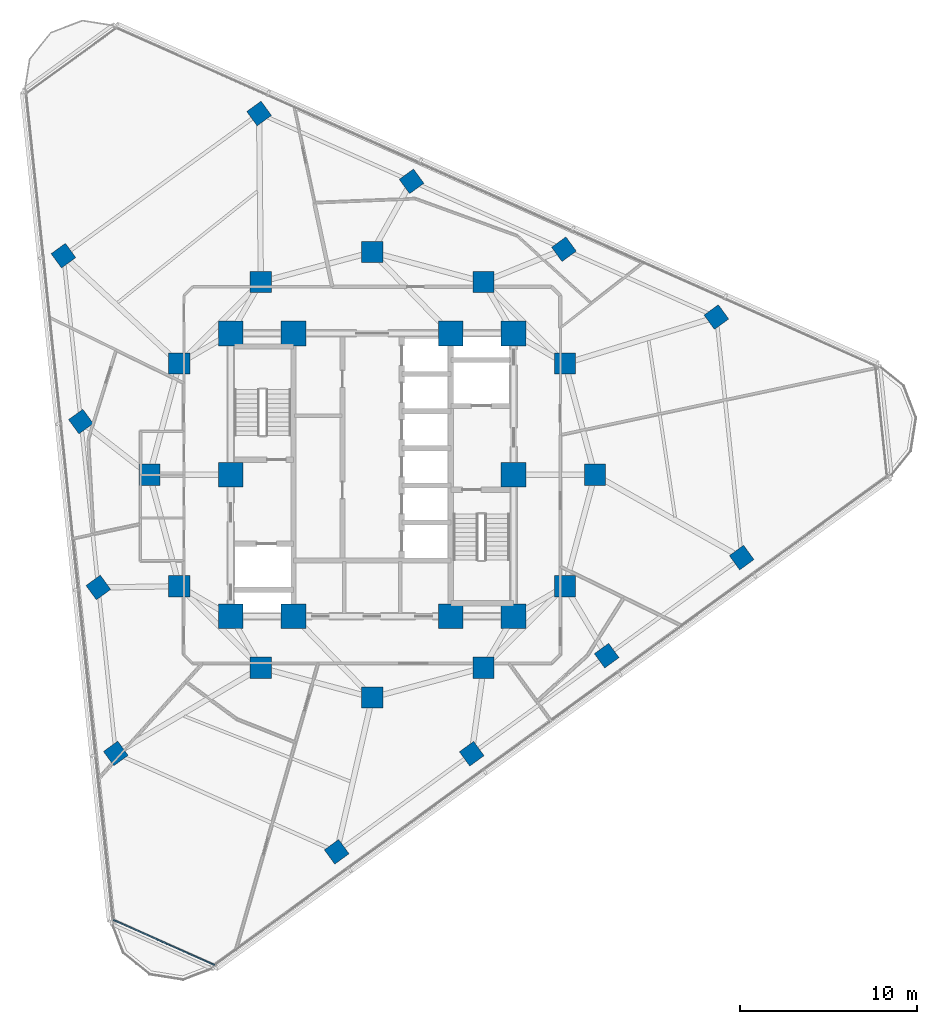
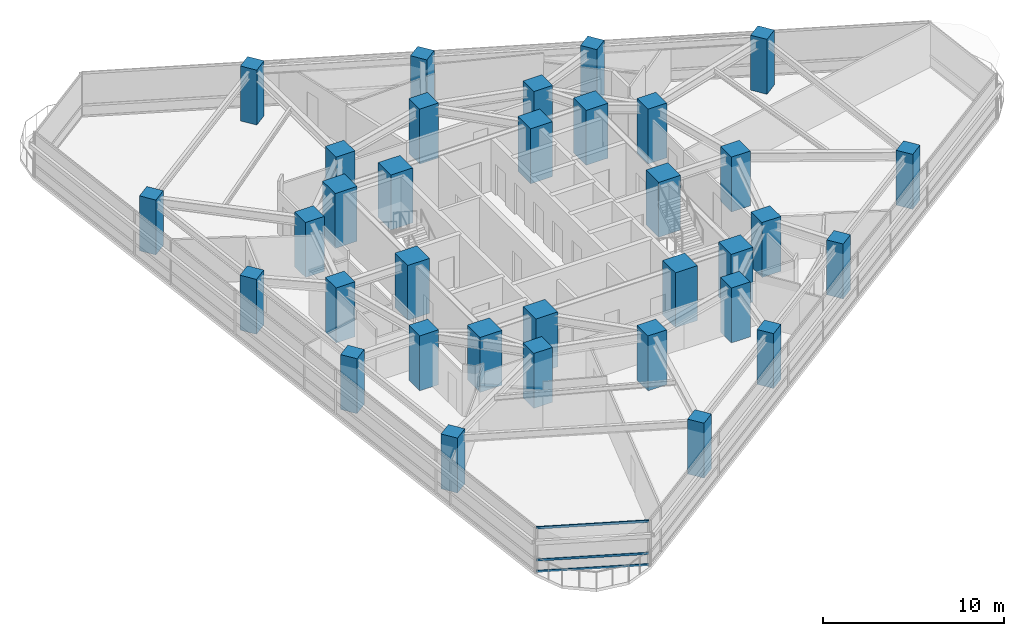
# One storey, part 1 of 14: 34 columns, 3 members, 1 element without a shape of its own.
"""IFC4 building model written with IfcOpenShell, lengths in metres."""

from ifc_helpers import new_model, si_unit, direction, frame, origin, origin_2d, place, context, subcontext, project, spatial, rectangle, extrude, material, layer, layer_set, material_profile, profile_set, type_object, element, aggregate, save


model = new_model("IFC4")

# Units and contexts
model_context = context("Model", 3, precision=1e-05, world=origin(), true_north=direction((0.0, 1.0)))
body_context = subcontext(model_context, "Body", "Model", "MODEL_VIEW")
ifc_project = project(units=[si_unit("LENGTHUNIT", "METRE"), si_unit("AREAUNIT", "SQUARE_METRE"), si_unit("VOLUMEUNIT", "CUBIC_METRE"), si_unit("PLANEANGLEUNIT", "RADIAN"), si_unit("MASSUNIT", "GRAM", prefix="KILO")], contexts=[model_context])

# Site, building, storey
site_placement = place(None, origin())
site = spatial("IfcSite", under=ifc_project, at=site_placement, CompositionType="ELEMENT")
building_placement = place(site_placement, origin())
building = spatial("IfcBuilding", under=site, at=building_placement, Name="Terralouvre Media Tower", CompositionType="ELEMENT")
storey_placement = place(building_placement, frame((0.0, 0.0, 169.39990234375)))
storey = spatial("IfcBuildingStorey", under=building, at=storey_placement, Name="L43", CompositionType="ELEMENT", Elevation=169.39990234375)

# Columns
ifc_material_1 = material(Name="Concrete C50/60", Category="concrete")
ifc_material_profile_1 = material_profile(ifc_material_1, rectangle(XDim=1.0, YDim=1.0, at=origin_2d()), Name="RC 1000x1000")
ifc_profile_set_1 = profile_set([ifc_material_profile_1], Name="Concrete C50/60")
column_type_1 = type_object("IfcColumnType", Name="Structural Column C-RC1000 (RC 1000x1000)", PredefinedType="COLUMN", material=ifc_profile_set_1)
for number, where, z_axis, x_axis, name in (
    (1, (-2.0068359375, -21.328369140625, 0.0), (0.0, 0.0, 1.0), (0.809016994375, 0.587785252292, 0.0), "L43 Perimeter Mega-Column PC11"),
    (2, (5.63037109375, -15.77978515625, 0.0), (0.0, 0.0, 1.0), (0.809016994375, 0.587785252292, 0.0), "L43 Perimeter Mega-Column PC12"),
    (3, (13.267578125, -10.23095703125, 0.0), (0.0, 0.0, 1.0), (0.809016994375, 0.587785252292, 0.0), "L43 Perimeter Mega-Column PC13"),
    (4, (20.904541015625, -4.682373046875, 0.0), (0.0, 0.0, 1.0), (0.809016994375, 0.587785252292, 0.0), "L43 Perimeter Mega-Column PC14"),
    (5, (19.474365234375, 8.92626953125, 0.0), (0.0, 0.0, 1.0), (0.809016994375, 0.587785252292, 0.0), "L43 Perimeter Mega-Column PC21"),
    (6, (10.850341796875, 12.765869140625, 0.0), (0.0, 0.0, 1.0), (0.809016994375, 0.587785252292, 0.0), "L43 Perimeter Mega-Column PC22"),
    (7, (2.2265625, 16.60546875, 0.0), (0.0, 0.0, 1.0), (0.809016994375, 0.587785252292, 0.0), "L43 Perimeter Mega-Column PC23"),
    (8, (-6.397216796875, 20.445068359375, 0.0), (0.0, 0.0, 1.0), (0.809016994375, 0.587785252292, 0.0), "L43 Perimeter Mega-Column PC24"),
    (9, (-17.467529296875, 12.402099609375, 0.0), (0.0, 0.0, 1.0), (0.809016994375, 0.587785252292, 0.0), "L43 Perimeter Mega-Column PC31"),
    (10, (-16.480712890625, 3.013916015625, 0.0), (0.0, 0.0, 1.0), (0.809016994375, 0.587785252292, 0.0), "L43 Perimeter Mega-Column PC32"),
    (11, (-15.494140625, -6.37451171875, 0.0), (0.0, 0.0, 1.0), (0.809016994375, 0.587785252292, 0.0), "L43 Perimeter Mega-Column PC33"),
    (12, (-14.50732421875, -15.7626953125, 0.0), (0.0, 0.0, 1.0), (0.809016994375, 0.587785252292, 0.0), "L43 Perimeter Mega-Column PC34"),
):
    element("IfcColumn", number, at=place(storey_placement, frame(where, z_axis=z_axis, x_axis=x_axis)), inside=storey, type_object=column_type_1, Name=name, PredefinedType="COLUMN", context=body_context, shape_type="SweptSolid", body=[
        extrude(rectangle(XDim=1.0, YDim=1.0, at=origin_2d()), origin(), (0.0, 0.0, 1.0), 3.7001953125),
    ])
ifc_material_2 = material(Name="Concrete C60/75", Category="concrete")
ifc_material_profile_2 = material_profile(ifc_material_2, rectangle(XDim=1.199951171875, YDim=1.199951171875, at=origin_2d()), Name="RC 1200x1200")
ifc_profile_set_2 = profile_set([ifc_material_profile_2], Name="Concrete C60/75")
column_type_2 = type_object("IfcColumnType", Name="Structural Column C-RC1200 (RC 1200x1200)", PredefinedType="COLUMN", material=ifc_profile_set_2)
for number, where, z_axis, x_axis, name in (
    (13, (12.60009765625, 0.0, 0.0), (0.0, 0.0, 1.0), (1.0, 0.0, 0.0), "L43 Mega-Frame Column MC01"),
    (14, (10.911865234375, 6.300048828125, 0.0), (0.0, 0.0, 1.0), (1.0, 0.0, 0.0), "L43 Mega-Frame Column MC02"),
    (15, (6.300048828125, 10.911865234375, 0.0), (0.0, 0.0, 1.0), (1.0, 0.0, 0.0), "L43 Mega-Frame Column MC03"),
    (16, (0.0, 12.60009765625, 0.0), (0.0, 0.0, 1.0), (1.0, 0.0, 0.0), "L43 Mega-Frame Column MC04"),
    (17, (-6.300048828125, 10.911865234375, 0.0), (0.0, 0.0, 1.0), (1.0, 0.0, 0.0), "L43 Mega-Frame Column MC05"),
    (18, (-10.911865234375, 6.300048828125, 0.0), (0.0, 0.0, 1.0), (1.0, 0.0, 0.0), "L43 Mega-Frame Column MC06"),
    (19, (-12.60009765625, 0.0, 0.0), (0.0, 0.0, 1.0), (1.0, 0.0, 0.0), "L43 Mega-Frame Column MC07"),
    (20, (-10.911865234375, -6.300048828125, 0.0), (0.0, 0.0, 1.0), (1.0, 0.0, 0.0), "L43 Mega-Frame Column MC08"),
    (21, (-6.300048828125, -10.911865234375, 0.0), (0.0, 0.0, 1.0), (1.0, 0.0, 0.0), "L43 Mega-Frame Column MC09"),
    (22, (0.0, -12.60009765625, 0.0), (0.0, 0.0, 1.0), (1.0, 0.0, 0.0), "L43 Mega-Frame Column MC10"),
    (23, (6.300048828125, -10.911865234375, 0.0), (0.0, 0.0, 1.0), (1.0, 0.0, 0.0), "L43 Mega-Frame Column MC11"),
    (24, (10.911865234375, -6.300048828125, 0.0), (0.0, 0.0, 1.0), (1.0, 0.0, 0.0), "L43 Mega-Frame Column MC12"),
):
    element("IfcColumn", number, at=place(storey_placement, frame(where, z_axis=z_axis, x_axis=x_axis)), inside=storey, type_object=column_type_2, Name=name, PredefinedType="COLUMN", context=body_context, shape_type="SweptSolid", body=[
        extrude(rectangle(XDim=1.199951171875, YDim=1.199951171875, at=origin_2d()), origin(), (0.0, 0.0, 1.0), 3.7001953125),
    ])
ifc_material_3 = material(Name="Concrete C60/75", Category="concrete")
ifc_material_profile_3 = material_profile(ifc_material_3, rectangle(XDim=1.39990234375, YDim=1.39990234375, at=origin_2d()), Name="RC 1400x1400")
ifc_profile_set_3 = profile_set([ifc_material_profile_3], Name="Concrete C60/75")
column_type_3 = type_object("IfcColumnType", Name="Structural Column C-RC1400 (RC 1400x1400)", PredefinedType="COLUMN", material=ifc_profile_set_3)
for number, where, z_axis, x_axis, name in (
    (25, (-8.0, -8.0, 0.0), (0.0, 0.0, 1.0), (1.0, 0.0, 0.0), "L43 Core Pilaster Column CP1"),
    (26, (-4.449951171875, -8.0, 0.0), (0.0, 0.0, 1.0), (1.0, 0.0, 0.0), "L43 Core Pilaster Column CP2"),
    (27, (4.449951171875, -8.0, 0.0), (0.0, 0.0, 1.0), (1.0, 0.0, 0.0), "L43 Core Pilaster Column CP10"),
    (28, (8.0, -8.0, 0.0), (0.0, 0.0, 1.0), (1.0, 0.0, 0.0), "L43 Core Pilaster Column CP3"),
    (29, (8.0, 0.0, 0.0), (0.0, 0.0, 1.0), (1.0, 0.0, 0.0), "L43 Core Pilaster Column CP4"),
    (30, (8.0, 8.0, 0.0), (0.0, 0.0, 1.0), (1.0, 0.0, 0.0), "L43 Core Pilaster Column CP5"),
    (31, (4.449951171875, 8.0, 0.0), (0.0, 0.0, 1.0), (1.0, 0.0, 0.0), "L43 Core Pilaster Column CP9"),
    (32, (-4.449951171875, 8.0, 0.0), (0.0, 0.0, 1.0), (1.0, 0.0, 0.0), "L43 Core Pilaster Column CP6"),
    (33, (-8.0, 8.0, 0.0), (0.0, 0.0, 1.0), (1.0, 0.0, 0.0), "L43 Core Pilaster Column CP7"),
    (34, (-8.0, 0.0, 0.0), (0.0, 0.0, 1.0), (1.0, 0.0, 0.0), "L43 Core Pilaster Column CP8"),
):
    element("IfcColumn", number, at=place(storey_placement, frame(where, z_axis=z_axis, x_axis=x_axis)), inside=storey, type_object=column_type_3, Name=name, PredefinedType="COLUMN", context=body_context, shape_type="SweptSolid", body=[
        extrude(rectangle(XDim=1.39990234375, YDim=1.39990234375, at=origin_2d()), origin(), (0.0, 0.0, 1.0), 3.7001953125),
    ])

# Curtain wall, members
ifc_material_4 = material(Name="Low-iron laminated double glazing with solar-control coating", Category="glass")
ifc_layer = layer(ifc_material_4, 0.1650390625, Name="Rounded Wind-Corner Curved Glazing CW-04")
ifc_layer_set = layer_set([ifc_layer], Name="Low-iron laminated double glazing with solar-control coating")
curtain_wall_type = type_object("IfcCurtainWallType", Name="Rounded Wind-Corner Curved Glazing CW-04", PredefinedType="NOTDEFINED", material=ifc_layer_set)
curtain_wall_placement = place(storey_placement, origin())
curtain_wall = element("IfcCurtainWall", 35, at=curtain_wall_placement, inside=storey, type_object=curtain_wall_type, Name="L43 Rounded Wind-Corner Curtain Wall C0", PredefinedType="NOTDEFINED")
ifc_material_5 = material(Name="Anodised extruded aluminium 6063-T6", Category="aluminium")
ifc_material_profile_4 = material_profile(ifc_material_5, rectangle(XDim=0.074951171875, YDim=0.14990234375, at=origin_2d()), Name="ALU 75x150")
ifc_profile_set_4 = profile_set([ifc_material_profile_4], Name="Anodised extruded aluminium 6063-T6")
member_type = type_object("IfcMemberType", Name="Curtain-Wall Horizontal Transom TR-150", PredefinedType="USERDEFINED", material=ifc_profile_set_4)
member_1_placement = place(storey_placement, frame((-14.63818359375, -25.184326171875, 0.03759765625), z_axis=(0.913542712087, -0.406742809639, 0.0), x_axis=(0.406742809639, 0.913542712087, 0.0)))
member_1 = element("IfcMember", 36, at=member_1_placement, type_object=member_type, Name="CW-04 transom 1.1", ObjectType="TRANSOM", PredefinedType="USERDEFINED", context=body_context, shape_type="SweptSolid", body=[
    extrude(rectangle(XDim=0.074951171875, YDim=0.14990234375, at=origin_2d()), origin(), (0.0, 0.0, 1.0), 6.258544921875),
])
member_2_placement = place(storey_placement, frame((-14.63818359375, -25.184326171875, 0.800048828125), z_axis=(0.913542712087, -0.406742809639, 0.0), x_axis=(0.406742809639, 0.913542712087, 0.0)))
member_2 = element("IfcMember", 37, at=member_2_placement, type_object=member_type, Name="CW-04 transom 1.2", ObjectType="TRANSOM", PredefinedType="USERDEFINED", context=body_context, shape_type="SweptSolid", body=[
    extrude(rectangle(XDim=0.074951171875, YDim=0.14990234375, at=origin_2d()), origin(), (0.0, 0.0, 1.0), 6.258544921875),
])
member_3_placement = place(storey_placement, frame((-14.63818359375, -25.184326171875, 2.962646484375), z_axis=(0.913542712087, -0.406742809639, 0.0), x_axis=(0.406742809639, 0.913542712087, 0.0)))
member_3 = element("IfcMember", 38, at=member_3_placement, type_object=member_type, Name="CW-04 transom 1.3", ObjectType="TRANSOM", PredefinedType="USERDEFINED", context=body_context, shape_type="SweptSolid", body=[
    extrude(rectangle(XDim=0.074951171875, YDim=0.14990234375, at=origin_2d()), origin(), (0.0, 0.0, 1.0), 6.258544921875),
])
aggregate(curtain_wall, [member_1, member_2, member_3])

save(model, "model.ifc")
